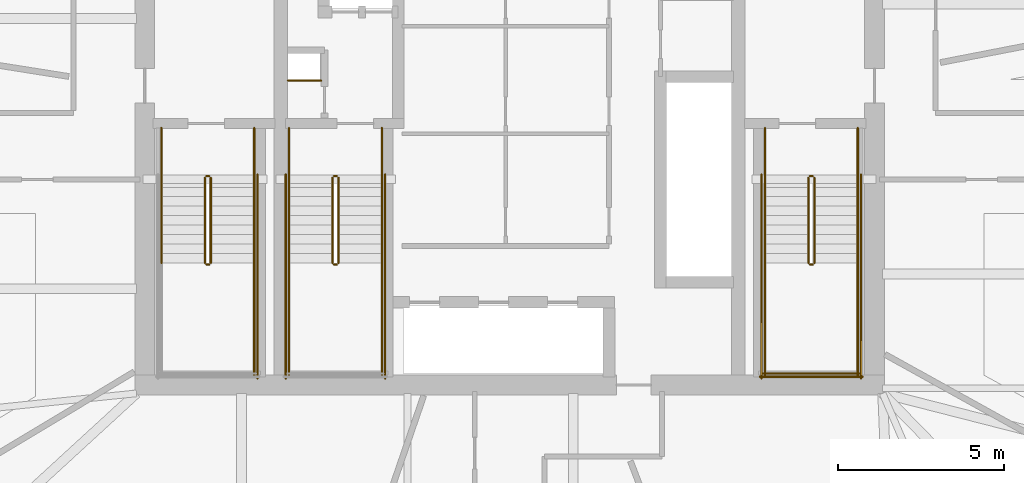
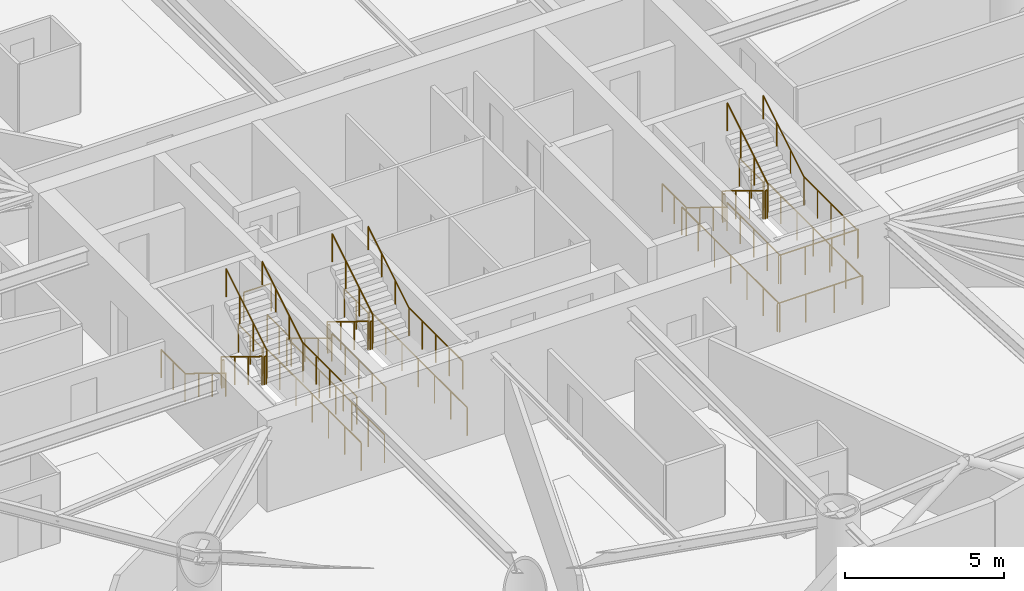
# One storey, part 18 of 19: 37 railings.
"""IFC4 building model written with IfcOpenShell, lengths in metres."""

from ifc_helpers import new_model, si_unit, direction, frame, origin, origin_2d, place, context, subcontext, project, spatial, circle, extrude, material, type_object, element, save


model = new_model("IFC4")

# Units and contexts
model_context = context("Model", 3, precision=1e-05, world=origin(), true_north=direction((0.0, 1.0)))
body_context = subcontext(model_context, "Body", "Model", "MODEL_VIEW")
ifc_project = project(units=[si_unit("LENGTHUNIT", "METRE"), si_unit("AREAUNIT", "SQUARE_METRE"), si_unit("VOLUMEUNIT", "CUBIC_METRE"), si_unit("PLANEANGLEUNIT", "RADIAN"), si_unit("MASSUNIT", "GRAM", prefix="KILO")], contexts=[model_context])

# Site, building, storey
site_placement = place(None, origin())
site = spatial("IfcSite", under=ifc_project, at=site_placement, CompositionType="ELEMENT")
building_placement = place(site_placement, origin())
building = spatial("IfcBuilding", under=site, at=building_placement, Name="Bramvorn Convention Spire", CompositionType="ELEMENT")
storey_placement = place(building_placement, frame((0.0, 0.0, 109.800048828125)))
storey = spatial("IfcBuildingStorey", under=building, at=storey_placement, Name="L26", CompositionType="ELEMENT", Elevation=109.800048828125)

# Railings
ifc_material_1 = material(Name="Painted Steel Balustrade & Guardrail", Category="steel")
railing_type_1 = type_object("IfcRailingType", Name="RL-STAIR-GUARD-1100", PredefinedType="GUARDRAIL", material=ifc_material_1)
railing_1_placement = place(storey_placement, frame((28.81005859375, 25.050048828125, 0.175048828125)))
element("IfcRailing", 1, at=railing_1_placement, inside=storey, type_object=railing_type_1, Name="L26 ST1 stair guard 1", PredefinedType="GUARDRAIL", context=body_context, shape_type="SweptSolid", body=[
    extrude(circle(Radius=0.02392578125, at=origin_2d()), frame((0.0, 0.0, 1.076171875), z_axis=(0.0, -0.852173129349, 0.523259933127), x_axis=(1.0, 0.0, 0.0)), (0.0, 0.0, 1.0), 3.009765625),
    extrude(circle(Radius=0.02099609375, at=origin_2d()), origin(), (0.0, 0.0, 1.0), 1.052001953125),
    extrude(circle(Radius=0.02099609375, at=origin_2d()), frame((0.0, -0.85498046875, 0.52490234375)), (0.0, 0.0, 1.0), 1.052001953125),
    extrude(circle(Radius=0.02099609375, at=origin_2d()), frame((0.0, -1.7099609375, 1.050048828125)), (0.0, 0.0, 1.0), 1.052001953125),
    extrude(circle(Radius=0.02099609375, at=origin_2d()), frame((0.0, -2.56494140625, 1.574951171875)), (0.0, 0.0, 1.0), 1.052001953125),
])
railing_2_placement = place(storey_placement, frame((28.860107421875, 22.43505859375, 1.75)))
element("IfcRailing", 2, at=railing_2_placement, inside=storey, type_object=railing_type_1, Name="L26 ST1 stair guard 2", PredefinedType="GUARDRAIL", context=body_context, shape_type="SweptSolid", body=[
    extrude(circle(Radius=0.02392578125, at=origin_2d()), frame((0.0, 0.0, 1.076171875), z_axis=(1.0, 0.0, 0.0), x_axis=(0.0, 1.0, 0.0)), (0.0, 0.0, 1.0), 0.079833984375),
    extrude(circle(Radius=0.02099609375, at=origin_2d()), origin(), (0.0, 0.0, 1.0), 1.052001953125),
    extrude(circle(Radius=0.02099609375, at=origin_2d()), frame((0.079833984375, 0.0, 0.0)), (0.0, 0.0, 1.0), 1.052001953125),
])
railing_3_placement = place(storey_placement, frame((30.300048828125, 22.485107421875, 1.75)))
element("IfcRailing", 3, at=railing_3_placement, inside=storey, type_object=railing_type_1, Name="L26 ST1 stair guard 4", PredefinedType="GUARDRAIL", context=body_context, shape_type="SweptSolid", body=[
    extrude(circle(Radius=0.02392578125, at=origin_2d()), frame((0.0, 0.0, 1.076171875), z_axis=(0.0, -1.0, 0.0), x_axis=(1.0, 0.0, 0.0)), (0.0, 0.0, 1.0), 3.385009765625),
    extrude(circle(Radius=0.02099609375, at=origin_2d()), origin(), (0.0, 0.0, 1.0), 1.052001953125),
    extrude(circle(Radius=0.02099609375, at=origin_2d()), frame((0.0, -0.84619140625, 0.0)), (0.0, 0.0, 1.0), 1.052001953125),
    extrude(circle(Radius=0.02099609375, at=origin_2d()), frame((0.0, -1.6923828125, 0.0)), (0.0, 0.0, 1.0), 1.052001953125),
    extrude(circle(Radius=0.02099609375, at=origin_2d()), frame((0.0, -2.538818359375, 0.0)), (0.0, 0.0, 1.0), 1.052001953125),
    extrude(circle(Radius=0.02099609375, at=origin_2d()), frame((0.0, -3.385009765625, 0.0)), (0.0, 0.0, 1.0), 1.052001953125),
])
railing_4_placement = place(storey_placement, frame((28.989990234375, 22.485107421875, 1.925048828125)))
element("IfcRailing", 4, at=railing_4_placement, inside=storey, type_object=railing_type_1, Name="L26 ST1 stair guard 6", PredefinedType="GUARDRAIL", context=body_context, shape_type="SweptSolid", body=[
    extrude(circle(Radius=0.02392578125, at=origin_2d()), frame((0.0, 0.0, 1.076171875), z_axis=(0.0, 0.852173129349, 0.523259933127), x_axis=(-1.0, 0.0, 0.0)), (0.0, 0.0, 1.0), 3.009765625),
    extrude(circle(Radius=0.02099609375, at=origin_2d()), origin(), (0.0, 0.0, 1.0), 1.052001953125),
    extrude(circle(Radius=0.02099609375, at=origin_2d()), frame((0.0, 0.85498046875, 0.52490234375)), (0.0, 0.0, 1.0), 1.052001953125),
    extrude(circle(Radius=0.02099609375, at=origin_2d()), frame((0.0, 1.7099609375, 1.050048828125)), (0.0, 0.0, 1.0), 1.052001953125),
    extrude(circle(Radius=0.02099609375, at=origin_2d()), frame((0.0, 2.56494140625, 1.574951171875)), (0.0, 0.0, 1.0), 1.052001953125),
])
railing_5_placement = place(storey_placement, frame((28.860107421875, 25.10009765625, 0.0)))
element("IfcRailing", 5, at=railing_5_placement, inside=storey, type_object=railing_type_1, Name="L26 ST1 stair guard 7", PredefinedType="GUARDRAIL", context=body_context, shape_type="SweptSolid", body=[
    extrude(circle(Radius=0.02392578125, at=origin_2d()), frame((0.0, 0.0, 1.076171875), z_axis=(1.0, 0.0, 0.0), x_axis=(0.0, 1.0, 0.0)), (0.0, 0.0, 1.0), 0.079833984375),
    extrude(circle(Radius=0.02099609375, at=origin_2d()), origin(), (0.0, 0.0, 1.0), 1.052001953125),
    extrude(circle(Radius=0.02099609375, at=origin_2d()), frame((0.079833984375, 0.0, 0.0)), (0.0, 0.0, 1.0), 1.052001953125),
])
for number, where, name in (
    (6, (27.5, 26.550048828125, 0.0), "L26 ST1 stair guard 8"),
    (7, (30.300048828125, 26.550048828125, 0.0), "L26 ST1 stair guard 9"),
):
    element("IfcRailing", number, at=place(storey_placement, frame(where)), inside=storey, type_object=railing_type_1, Name=name, PredefinedType="GUARDRAIL", context=body_context, shape_type="SweptSolid", body=[
        extrude(circle(Radius=0.02392578125, at=origin_2d()), frame((0.0, 0.0, 1.076171875), z_axis=(0.0, -1.0, 0.0), x_axis=(1.0, 0.0, 0.0)), (0.0, 0.0, 1.0), 1.5),
        extrude(circle(Radius=0.02099609375, at=origin_2d()), origin(), (0.0, 0.0, 1.0), 1.052001953125),
        extrude(circle(Radius=0.02099609375, at=origin_2d()), frame((0.0, -0.75, 0.0)), (0.0, 0.0, 1.0), 1.052001953125),
        extrude(circle(Radius=0.02099609375, at=origin_2d()), frame((0.0, -1.5, 0.0)), (0.0, 0.0, 1.0), 1.052001953125),
    ])
railing_6_placement = place(storey_placement, frame((30.39990234375, 25.14990234375, 0.0)))
element("IfcRailing", 8, at=railing_6_placement, inside=storey, type_object=railing_type_1, Name="L26 ST1 stair guard 11", PredefinedType="GUARDRAIL", context=body_context, shape_type="SweptSolid", body=[
    extrude(circle(Radius=0.02392578125, at=origin_2d()), frame((0.0, 0.0, 1.076171875), z_axis=(0.0, -1.0, 0.0), x_axis=(1.0, 0.0, 0.0)), (0.0, 0.0, 1.0), 6.14990234375),
    extrude(circle(Radius=0.02099609375, at=origin_2d()), origin(), (0.0, 0.0, 1.0), 1.052001953125),
    extrude(circle(Radius=0.02099609375, at=origin_2d()), frame((0.0, -1.02490234375, 0.0)), (0.0, 0.0, 1.0), 1.052001953125),
    extrude(circle(Radius=0.02099609375, at=origin_2d()), frame((0.0, -2.050048828125, 0.0)), (0.0, 0.0, 1.0), 1.052001953125),
    extrude(circle(Radius=0.02099609375, at=origin_2d()), frame((0.0, -3.074951171875, 0.0)), (0.0, 0.0, 1.0), 1.052001953125),
    extrude(circle(Radius=0.02099609375, at=origin_2d()), frame((0.0, -4.099853515625, 0.0)), (0.0, 0.0, 1.0), 1.052001953125),
    extrude(circle(Radius=0.02099609375, at=origin_2d()), frame((0.0, -5.125, 0.0)), (0.0, 0.0, 1.0), 1.052001953125),
    extrude(circle(Radius=0.02099609375, at=origin_2d()), frame((0.0, -6.14990234375, 0.0)), (0.0, 0.0, 1.0), 1.052001953125),
])
railing_7_placement = place(storey_placement, frame((47.010009765625, 25.050048828125, 0.175048828125)))
element("IfcRailing", 9, at=railing_7_placement, inside=storey, type_object=railing_type_1, Name="L26 ST2 stair guard 1", PredefinedType="GUARDRAIL", context=body_context, shape_type="SweptSolid", body=[
    extrude(circle(Radius=0.02392578125, at=origin_2d()), frame((0.0, 0.0, 1.076171875), z_axis=(0.0, -0.852173129349, 0.523259933127), x_axis=(1.0, 0.0, 0.0)), (0.0, 0.0, 1.0), 3.009765625),
    extrude(circle(Radius=0.02099609375, at=origin_2d()), origin(), (0.0, 0.0, 1.0), 1.052001953125),
    extrude(circle(Radius=0.02099609375, at=origin_2d()), frame((0.0, -0.85498046875, 0.52490234375)), (0.0, 0.0, 1.0), 1.052001953125),
    extrude(circle(Radius=0.02099609375, at=origin_2d()), frame((0.0, -1.7099609375, 1.050048828125)), (0.0, 0.0, 1.0), 1.052001953125),
    extrude(circle(Radius=0.02099609375, at=origin_2d()), frame((0.0, -2.56494140625, 1.574951171875)), (0.0, 0.0, 1.0), 1.052001953125),
])
railing_8_placement = place(storey_placement, frame((47.06005859375, 22.43505859375, 1.75)))
element("IfcRailing", 10, at=railing_8_placement, inside=storey, type_object=railing_type_1, Name="L26 ST2 stair guard 2", PredefinedType="GUARDRAIL", context=body_context, shape_type="SweptSolid", body=[
    extrude(circle(Radius=0.02392578125, at=origin_2d()), frame((0.0, 0.0, 1.076171875), z_axis=(1.0, 0.0, 0.0), x_axis=(0.0, 1.0, 0.0)), (0.0, 0.0, 1.0), 0.079833984375),
    extrude(circle(Radius=0.02099609375, at=origin_2d()), origin(), (0.0, 0.0, 1.0), 1.052001953125),
    extrude(circle(Radius=0.02099609375, at=origin_2d()), frame((0.079833984375, 0.0, 0.0)), (0.0, 0.0, 1.0), 1.052001953125),
])
for number, where, name in (
    (11, (45.699951171875, 22.485107421875, 1.75), "L26 ST2 stair guard 3"),
    (12, (48.5, 22.485107421875, 1.75), "L26 ST2 stair guard 4"),
):
    element("IfcRailing", number, at=place(storey_placement, frame(where)), inside=storey, type_object=railing_type_1, Name=name, PredefinedType="GUARDRAIL", context=body_context, shape_type="SweptSolid", body=[
        extrude(circle(Radius=0.02392578125, at=origin_2d()), frame((0.0, 0.0, 1.076171875), z_axis=(0.0, -1.0, 0.0), x_axis=(1.0, 0.0, 0.0)), (0.0, 0.0, 1.0), 3.385009765625),
        extrude(circle(Radius=0.02099609375, at=origin_2d()), origin(), (0.0, 0.0, 1.0), 1.052001953125),
        extrude(circle(Radius=0.02099609375, at=origin_2d()), frame((0.0, -0.84619140625, 0.0)), (0.0, 0.0, 1.0), 1.052001953125),
        extrude(circle(Radius=0.02099609375, at=origin_2d()), frame((0.0, -1.6923828125, 0.0)), (0.0, 0.0, 1.0), 1.052001953125),
        extrude(circle(Radius=0.02099609375, at=origin_2d()), frame((0.0, -2.538818359375, 0.0)), (0.0, 0.0, 1.0), 1.052001953125),
        extrude(circle(Radius=0.02099609375, at=origin_2d()), frame((0.0, -3.385009765625, 0.0)), (0.0, 0.0, 1.0), 1.052001953125),
    ])
railing_9_placement = place(storey_placement, frame((45.64990234375, 19.14990234375, 1.75)))
element("IfcRailing", 13, at=railing_9_placement, inside=storey, type_object=railing_type_1, Name="L26 ST2 stair guard 5", PredefinedType="GUARDRAIL", context=body_context, shape_type="SweptSolid", body=[
    extrude(circle(Radius=0.02392578125, at=origin_2d()), frame((0.0, 0.0, 1.076171875), z_axis=(1.0, 0.0, 0.0), x_axis=(0.0, 1.0, 0.0)), (0.0, 0.0, 1.0), 2.900146484375),
    extrude(circle(Radius=0.02099609375, at=origin_2d()), origin(), (0.0, 0.0, 1.0), 1.052001953125),
    extrude(circle(Radius=0.02099609375, at=origin_2d()), frame((0.966796875, 0.0, 0.0)), (0.0, 0.0, 1.0), 1.052001953125),
    extrude(circle(Radius=0.02099609375, at=origin_2d()), frame((1.933349609375, 0.0, 0.0)), (0.0, 0.0, 1.0), 1.052001953125),
    extrude(circle(Radius=0.02099609375, at=origin_2d()), frame((2.900146484375, 0.0, 0.0)), (0.0, 0.0, 1.0), 1.052001953125),
])
railing_10_placement = place(storey_placement, frame((47.18994140625, 22.485107421875, 1.925048828125)))
element("IfcRailing", 14, at=railing_10_placement, inside=storey, type_object=railing_type_1, Name="L26 ST2 stair guard 6", PredefinedType="GUARDRAIL", context=body_context, shape_type="SweptSolid", body=[
    extrude(circle(Radius=0.02392578125, at=origin_2d()), frame((0.0, 0.0, 1.076171875), z_axis=(0.0, 0.852173129349, 0.523259933127), x_axis=(-1.0, 0.0, 0.0)), (0.0, 0.0, 1.0), 3.009765625),
    extrude(circle(Radius=0.02099609375, at=origin_2d()), origin(), (0.0, 0.0, 1.0), 1.052001953125),
    extrude(circle(Radius=0.02099609375, at=origin_2d()), frame((0.0, 0.85498046875, 0.52490234375)), (0.0, 0.0, 1.0), 1.052001953125),
    extrude(circle(Radius=0.02099609375, at=origin_2d()), frame((0.0, 1.7099609375, 1.050048828125)), (0.0, 0.0, 1.0), 1.052001953125),
    extrude(circle(Radius=0.02099609375, at=origin_2d()), frame((0.0, 2.56494140625, 1.574951171875)), (0.0, 0.0, 1.0), 1.052001953125),
])
railing_11_placement = place(storey_placement, frame((47.06005859375, 25.10009765625, 0.0)))
element("IfcRailing", 15, at=railing_11_placement, inside=storey, type_object=railing_type_1, Name="L26 ST2 stair guard 7", PredefinedType="GUARDRAIL", context=body_context, shape_type="SweptSolid", body=[
    extrude(circle(Radius=0.02392578125, at=origin_2d()), frame((0.0, 0.0, 1.076171875), z_axis=(1.0, 0.0, 0.0), x_axis=(0.0, 1.0, 0.0)), (0.0, 0.0, 1.0), 0.079833984375),
    extrude(circle(Radius=0.02099609375, at=origin_2d()), origin(), (0.0, 0.0, 1.0), 1.052001953125),
    extrude(circle(Radius=0.02099609375, at=origin_2d()), frame((0.079833984375, 0.0, 0.0)), (0.0, 0.0, 1.0), 1.052001953125),
])
for number, where, name in (
    (16, (45.699951171875, 26.550048828125, 0.0), "L26 ST2 stair guard 8"),
    (17, (48.5, 26.550048828125, 0.0), "L26 ST2 stair guard 9"),
):
    element("IfcRailing", number, at=place(storey_placement, frame(where)), inside=storey, type_object=railing_type_1, Name=name, PredefinedType="GUARDRAIL", context=body_context, shape_type="SweptSolid", body=[
        extrude(circle(Radius=0.02392578125, at=origin_2d()), frame((0.0, 0.0, 1.076171875), z_axis=(0.0, -1.0, 0.0), x_axis=(1.0, 0.0, 0.0)), (0.0, 0.0, 1.0), 1.5),
        extrude(circle(Radius=0.02099609375, at=origin_2d()), origin(), (0.0, 0.0, 1.0), 1.052001953125),
        extrude(circle(Radius=0.02099609375, at=origin_2d()), frame((0.0, -0.75, 0.0)), (0.0, 0.0, 1.0), 1.052001953125),
        extrude(circle(Radius=0.02099609375, at=origin_2d()), frame((0.0, -1.5, 0.0)), (0.0, 0.0, 1.0), 1.052001953125),
    ])
for number, where, name in (
    (18, (45.60009765625, 25.14990234375, 0.0), "L26 ST2 stair guard 10"),
    (19, (48.60009765625, 25.14990234375, 0.0), "L26 ST2 stair guard 11"),
):
    element("IfcRailing", number, at=place(storey_placement, frame(where)), inside=storey, type_object=railing_type_1, Name=name, PredefinedType="GUARDRAIL", context=body_context, shape_type="SweptSolid", body=[
        extrude(circle(Radius=0.02392578125, at=origin_2d()), frame((0.0, 0.0, 1.076171875), z_axis=(0.0, -1.0, 0.0), x_axis=(1.0, 0.0, 0.0)), (0.0, 0.0, 1.0), 6.14990234375),
        extrude(circle(Radius=0.02099609375, at=origin_2d()), origin(), (0.0, 0.0, 1.0), 1.052001953125),
        extrude(circle(Radius=0.02099609375, at=origin_2d()), frame((0.0, -1.02490234375, 0.0)), (0.0, 0.0, 1.0), 1.052001953125),
        extrude(circle(Radius=0.02099609375, at=origin_2d()), frame((0.0, -2.050048828125, 0.0)), (0.0, 0.0, 1.0), 1.052001953125),
        extrude(circle(Radius=0.02099609375, at=origin_2d()), frame((0.0, -3.074951171875, 0.0)), (0.0, 0.0, 1.0), 1.052001953125),
        extrude(circle(Radius=0.02099609375, at=origin_2d()), frame((0.0, -4.099853515625, 0.0)), (0.0, 0.0, 1.0), 1.052001953125),
        extrude(circle(Radius=0.02099609375, at=origin_2d()), frame((0.0, -5.125, 0.0)), (0.0, 0.0, 1.0), 1.052001953125),
        extrude(circle(Radius=0.02099609375, at=origin_2d()), frame((0.0, -6.14990234375, 0.0)), (0.0, 0.0, 1.0), 1.052001953125),
    ])
railing_12_placement = place(storey_placement, frame((45.550048828125, 19.050048828125, 0.0)))
element("IfcRailing", 20, at=railing_12_placement, inside=storey, type_object=railing_type_1, Name="L26 ST2 stair guard 12", PredefinedType="GUARDRAIL", context=body_context, shape_type="SweptSolid", body=[
    extrude(circle(Radius=0.02392578125, at=origin_2d()), frame((0.0, 0.0, 1.076171875), z_axis=(1.0, 0.0, 0.0), x_axis=(0.0, 1.0, 0.0)), (0.0, 0.0, 1.0), 3.099853515625),
    extrude(circle(Radius=0.02099609375, at=origin_2d()), origin(), (0.0, 0.0, 1.0), 1.052001953125),
    extrude(circle(Radius=0.02099609375, at=origin_2d()), frame((1.033203125, 0.0, 0.0)), (0.0, 0.0, 1.0), 1.052001953125),
    extrude(circle(Radius=0.02099609375, at=origin_2d()), frame((2.066650390625, 0.0, 0.0)), (0.0, 0.0, 1.0), 1.052001953125),
    extrude(circle(Radius=0.02099609375, at=origin_2d()), frame((3.099853515625, 0.0, 0.0)), (0.0, 0.0, 1.0), 1.052001953125),
])
railing_13_placement = place(storey_placement, frame((32.659912109375, 25.050048828125, 0.175048828125)))
element("IfcRailing", 21, at=railing_13_placement, inside=storey, type_object=railing_type_1, Name="L26 ST3 stair guard 1", PredefinedType="GUARDRAIL", context=body_context, shape_type="SweptSolid", body=[
    extrude(circle(Radius=0.02392578125, at=origin_2d()), frame((0.0, 0.0, 1.076171875), z_axis=(0.0, -0.852173129349, 0.523259933127), x_axis=(1.0, 0.0, 0.0)), (0.0, 0.0, 1.0), 3.009765625),
    extrude(circle(Radius=0.02099609375, at=origin_2d()), origin(), (0.0, 0.0, 1.0), 1.052001953125),
    extrude(circle(Radius=0.02099609375, at=origin_2d()), frame((0.0, -0.85498046875, 0.52490234375)), (0.0, 0.0, 1.0), 1.052001953125),
    extrude(circle(Radius=0.02099609375, at=origin_2d()), frame((0.0, -1.7099609375, 1.050048828125)), (0.0, 0.0, 1.0), 1.052001953125),
    extrude(circle(Radius=0.02099609375, at=origin_2d()), frame((0.0, -2.56494140625, 1.574951171875)), (0.0, 0.0, 1.0), 1.052001953125),
])
railing_14_placement = place(storey_placement, frame((32.7099609375, 22.43505859375, 1.75)))
element("IfcRailing", 22, at=railing_14_placement, inside=storey, type_object=railing_type_1, Name="L26 ST3 stair guard 2", PredefinedType="GUARDRAIL", context=body_context, shape_type="SweptSolid", body=[
    extrude(circle(Radius=0.02392578125, at=origin_2d()), frame((0.0, 0.0, 1.076171875), z_axis=(1.0, 0.0, 0.0), x_axis=(0.0, 1.0, 0.0)), (0.0, 0.0, 1.0), 0.080078125),
    extrude(circle(Radius=0.02099609375, at=origin_2d()), origin(), (0.0, 0.0, 1.0), 1.052001953125),
    extrude(circle(Radius=0.02099609375, at=origin_2d()), frame((0.080078125, 0.0, 0.0)), (0.0, 0.0, 1.0), 1.052001953125),
])
for number, where, name in (
    (23, (31.35009765625, 22.485107421875, 1.75), "L26 ST3 stair guard 3"),
    (24, (34.14990234375, 22.485107421875, 1.75), "L26 ST3 stair guard 4"),
):
    element("IfcRailing", number, at=place(storey_placement, frame(where)), inside=storey, type_object=railing_type_1, Name=name, PredefinedType="GUARDRAIL", context=body_context, shape_type="SweptSolid", body=[
        extrude(circle(Radius=0.02392578125, at=origin_2d()), frame((0.0, 0.0, 1.076171875), z_axis=(0.0, -1.0, 0.0), x_axis=(1.0, 0.0, 0.0)), (0.0, 0.0, 1.0), 3.385009765625),
        extrude(circle(Radius=0.02099609375, at=origin_2d()), origin(), (0.0, 0.0, 1.0), 1.052001953125),
        extrude(circle(Radius=0.02099609375, at=origin_2d()), frame((0.0, -0.84619140625, 0.0)), (0.0, 0.0, 1.0), 1.052001953125),
        extrude(circle(Radius=0.02099609375, at=origin_2d()), frame((0.0, -1.6923828125, 0.0)), (0.0, 0.0, 1.0), 1.052001953125),
        extrude(circle(Radius=0.02099609375, at=origin_2d()), frame((0.0, -2.538818359375, 0.0)), (0.0, 0.0, 1.0), 1.052001953125),
        extrude(circle(Radius=0.02099609375, at=origin_2d()), frame((0.0, -3.385009765625, 0.0)), (0.0, 0.0, 1.0), 1.052001953125),
    ])
railing_15_placement = place(storey_placement, frame((32.840087890625, 22.485107421875, 1.925048828125)))
element("IfcRailing", 25, at=railing_15_placement, inside=storey, type_object=railing_type_1, Name="L26 ST3 stair guard 6", PredefinedType="GUARDRAIL", context=body_context, shape_type="SweptSolid", body=[
    extrude(circle(Radius=0.02392578125, at=origin_2d()), frame((0.0, 0.0, 1.076171875), z_axis=(0.0, 0.852173129349, 0.523259933127), x_axis=(-1.0, 0.0, 0.0)), (0.0, 0.0, 1.0), 3.009765625),
    extrude(circle(Radius=0.02099609375, at=origin_2d()), origin(), (0.0, 0.0, 1.0), 1.052001953125),
    extrude(circle(Radius=0.02099609375, at=origin_2d()), frame((0.0, 0.85498046875, 0.52490234375)), (0.0, 0.0, 1.0), 1.052001953125),
    extrude(circle(Radius=0.02099609375, at=origin_2d()), frame((0.0, 1.7099609375, 1.050048828125)), (0.0, 0.0, 1.0), 1.052001953125),
    extrude(circle(Radius=0.02099609375, at=origin_2d()), frame((0.0, 2.56494140625, 1.574951171875)), (0.0, 0.0, 1.0), 1.052001953125),
])
railing_16_placement = place(storey_placement, frame((32.7099609375, 25.10009765625, 0.0)))
element("IfcRailing", 26, at=railing_16_placement, inside=storey, type_object=railing_type_1, Name="L26 ST3 stair guard 7", PredefinedType="GUARDRAIL", context=body_context, shape_type="SweptSolid", body=[
    extrude(circle(Radius=0.02392578125, at=origin_2d()), frame((0.0, 0.0, 1.076171875), z_axis=(1.0, 0.0, 0.0), x_axis=(0.0, 1.0, 0.0)), (0.0, 0.0, 1.0), 0.080078125),
    extrude(circle(Radius=0.02099609375, at=origin_2d()), origin(), (0.0, 0.0, 1.0), 1.052001953125),
    extrude(circle(Radius=0.02099609375, at=origin_2d()), frame((0.080078125, 0.0, 0.0)), (0.0, 0.0, 1.0), 1.052001953125),
])
for number, where, name in (
    (27, (31.35009765625, 26.550048828125, 0.0), "L26 ST3 stair guard 8"),
    (28, (34.14990234375, 26.550048828125, 0.0), "L26 ST3 stair guard 9"),
):
    element("IfcRailing", number, at=place(storey_placement, frame(where)), inside=storey, type_object=railing_type_1, Name=name, PredefinedType="GUARDRAIL", context=body_context, shape_type="SweptSolid", body=[
        extrude(circle(Radius=0.02392578125, at=origin_2d()), frame((0.0, 0.0, 1.076171875), z_axis=(0.0, -1.0, 0.0), x_axis=(1.0, 0.0, 0.0)), (0.0, 0.0, 1.0), 1.5),
        extrude(circle(Radius=0.02099609375, at=origin_2d()), origin(), (0.0, 0.0, 1.0), 1.052001953125),
        extrude(circle(Radius=0.02099609375, at=origin_2d()), frame((0.0, -0.75, 0.0)), (0.0, 0.0, 1.0), 1.052001953125),
        extrude(circle(Radius=0.02099609375, at=origin_2d()), frame((0.0, -1.5, 0.0)), (0.0, 0.0, 1.0), 1.052001953125),
    ])
for number, where, name in (
    (29, (31.25, 25.14990234375, 0.0), "L26 ST3 stair guard 10"),
    (30, (34.25, 25.14990234375, 0.0), "L26 ST3 stair guard 11"),
):
    element("IfcRailing", number, at=place(storey_placement, frame(where)), inside=storey, type_object=railing_type_1, Name=name, PredefinedType="GUARDRAIL", context=body_context, shape_type="SweptSolid", body=[
        extrude(circle(Radius=0.02392578125, at=origin_2d()), frame((0.0, 0.0, 1.076171875), z_axis=(0.0, -1.0, 0.0), x_axis=(1.0, 0.0, 0.0)), (0.0, 0.0, 1.0), 6.14990234375),
        extrude(circle(Radius=0.02099609375, at=origin_2d()), origin(), (0.0, 0.0, 1.0), 1.052001953125),
        extrude(circle(Radius=0.02099609375, at=origin_2d()), frame((0.0, -1.02490234375, 0.0)), (0.0, 0.0, 1.0), 1.052001953125),
        extrude(circle(Radius=0.02099609375, at=origin_2d()), frame((0.0, -2.050048828125, 0.0)), (0.0, 0.0, 1.0), 1.052001953125),
        extrude(circle(Radius=0.02099609375, at=origin_2d()), frame((0.0, -3.074951171875, 0.0)), (0.0, 0.0, 1.0), 1.052001953125),
        extrude(circle(Radius=0.02099609375, at=origin_2d()), frame((0.0, -4.099853515625, 0.0)), (0.0, 0.0, 1.0), 1.052001953125),
        extrude(circle(Radius=0.02099609375, at=origin_2d()), frame((0.0, -5.125, 0.0)), (0.0, 0.0, 1.0), 1.052001953125),
        extrude(circle(Radius=0.02099609375, at=origin_2d()), frame((0.0, -6.14990234375, 0.0)), (0.0, 0.0, 1.0), 1.052001953125),
    ])
railing_17_placement = place(storey_placement, frame((31.320068359375, 27.97998046875, 0.0)))
element("IfcRailing", 31, at=railing_17_placement, inside=storey, type_object=railing_type_1, Name="L26 Telecom riser shaft opening safety guardrail", PredefinedType="GUARDRAIL", context=body_context, shape_type="SweptSolid", body=[
    extrude(circle(Radius=0.02392578125, at=origin_2d()), frame((0.0, 0.0, 1.076171875), z_axis=(1.0, 0.0, 0.0), x_axis=(0.0, 1.0, 0.0)), (0.0, 0.0, 1.0), 1.0),
    extrude(circle(Radius=0.02099609375, at=origin_2d()), origin(), (0.0, 0.0, 1.0), 1.052001953125),
    extrude(circle(Radius=0.02099609375, at=origin_2d()), frame((1.0, 0.0, 0.0)), (0.0, 0.0, 1.0), 1.052001953125),
])
ifc_material_2 = material(Name="Brushed Bronze Tubular Handrail", Category="aluminium")
railing_type_2 = type_object("IfcRailingType", Name="RL-STAIR-HR-920", PredefinedType="HANDRAIL", material=ifc_material_2)
railing_18_placement = place(storey_placement, frame((27.5, 25.050048828125, 0.175048828125)))
element("IfcRailing", 32, at=railing_18_placement, inside=storey, type_object=railing_type_2, Name="L26 ST1 stair handrail 1", PredefinedType="HANDRAIL", context=body_context, shape_type="SweptSolid", body=[
    extrude(circle(Radius=0.02392578125, at=origin_2d()), frame((0.0, 0.0, 0.89599609375), z_axis=(0.0, -0.852173129349, 0.523259933127), x_axis=(1.0, 0.0, 0.0)), (0.0, 0.0, 1.0), 3.009765625),
    extrude(circle(Radius=0.02099609375, at=origin_2d()), origin(), (0.0, 0.0, 1.0), 0.871826171875),
    extrude(circle(Radius=0.02099609375, at=origin_2d()), frame((0.0, -0.85498046875, 0.52490234375)), (0.0, 0.0, 1.0), 0.871826171875),
    extrude(circle(Radius=0.02099609375, at=origin_2d()), frame((0.0, -1.7099609375, 1.050048828125)), (0.0, 0.0, 1.0), 0.871826171875),
    extrude(circle(Radius=0.02099609375, at=origin_2d()), frame((0.0, -2.56494140625, 1.574951171875)), (0.0, 0.0, 1.0), 0.871826171875),
])
railing_19_placement = place(storey_placement, frame((30.300048828125, 22.485107421875, 1.925048828125)))
element("IfcRailing", 33, at=railing_19_placement, inside=storey, type_object=railing_type_2, Name="L26 ST1 stair handrail 2", PredefinedType="HANDRAIL", context=body_context, shape_type="SweptSolid", body=[
    extrude(circle(Radius=0.02392578125, at=origin_2d()), frame((0.0, 0.0, 0.89599609375), z_axis=(0.0, 0.852173129349, 0.523259933127), x_axis=(-1.0, 0.0, 0.0)), (0.0, 0.0, 1.0), 3.009765625),
    extrude(circle(Radius=0.02099609375, at=origin_2d()), origin(), (0.0, 0.0, 1.0), 0.871826171875),
    extrude(circle(Radius=0.02099609375, at=origin_2d()), frame((0.0, 0.85498046875, 0.52490234375)), (0.0, 0.0, 1.0), 0.871826171875),
    extrude(circle(Radius=0.02099609375, at=origin_2d()), frame((0.0, 1.7099609375, 1.050048828125)), (0.0, 0.0, 1.0), 0.871826171875),
    extrude(circle(Radius=0.02099609375, at=origin_2d()), frame((0.0, 2.56494140625, 1.574951171875)), (0.0, 0.0, 1.0), 0.871826171875),
])
railing_20_placement = place(storey_placement, frame((45.699951171875, 25.050048828125, 0.175048828125)))
element("IfcRailing", 34, at=railing_20_placement, inside=storey, type_object=railing_type_2, Name="L26 ST2 stair handrail 1", PredefinedType="HANDRAIL", context=body_context, shape_type="SweptSolid", body=[
    extrude(circle(Radius=0.02392578125, at=origin_2d()), frame((0.0, 0.0, 0.89599609375), z_axis=(0.0, -0.852173129349, 0.523259933127), x_axis=(1.0, 0.0, 0.0)), (0.0, 0.0, 1.0), 3.009765625),
    extrude(circle(Radius=0.02099609375, at=origin_2d()), origin(), (0.0, 0.0, 1.0), 0.871826171875),
    extrude(circle(Radius=0.02099609375, at=origin_2d()), frame((0.0, -0.85498046875, 0.52490234375)), (0.0, 0.0, 1.0), 0.871826171875),
    extrude(circle(Radius=0.02099609375, at=origin_2d()), frame((0.0, -1.7099609375, 1.050048828125)), (0.0, 0.0, 1.0), 0.871826171875),
    extrude(circle(Radius=0.02099609375, at=origin_2d()), frame((0.0, -2.56494140625, 1.574951171875)), (0.0, 0.0, 1.0), 0.871826171875),
])
railing_21_placement = place(storey_placement, frame((48.5, 22.485107421875, 1.925048828125)))
element("IfcRailing", 35, at=railing_21_placement, inside=storey, type_object=railing_type_2, Name="L26 ST2 stair handrail 2", PredefinedType="HANDRAIL", context=body_context, shape_type="SweptSolid", body=[
    extrude(circle(Radius=0.02392578125, at=origin_2d()), frame((0.0, 0.0, 0.89599609375), z_axis=(0.0, 0.852173129349, 0.523259933127), x_axis=(-1.0, 0.0, 0.0)), (0.0, 0.0, 1.0), 3.009765625),
    extrude(circle(Radius=0.02099609375, at=origin_2d()), origin(), (0.0, 0.0, 1.0), 0.871826171875),
    extrude(circle(Radius=0.02099609375, at=origin_2d()), frame((0.0, 0.85498046875, 0.52490234375)), (0.0, 0.0, 1.0), 0.871826171875),
    extrude(circle(Radius=0.02099609375, at=origin_2d()), frame((0.0, 1.7099609375, 1.050048828125)), (0.0, 0.0, 1.0), 0.871826171875),
    extrude(circle(Radius=0.02099609375, at=origin_2d()), frame((0.0, 2.56494140625, 1.574951171875)), (0.0, 0.0, 1.0), 0.871826171875),
])
railing_22_placement = place(storey_placement, frame((31.35009765625, 25.050048828125, 0.175048828125)))
element("IfcRailing", 36, at=railing_22_placement, inside=storey, type_object=railing_type_2, Name="L26 ST3 stair handrail 1", PredefinedType="HANDRAIL", context=body_context, shape_type="SweptSolid", body=[
    extrude(circle(Radius=0.02392578125, at=origin_2d()), frame((0.0, 0.0, 0.89599609375), z_axis=(0.0, -0.852173129349, 0.523259933127), x_axis=(1.0, 0.0, 0.0)), (0.0, 0.0, 1.0), 3.009765625),
    extrude(circle(Radius=0.02099609375, at=origin_2d()), origin(), (0.0, 0.0, 1.0), 0.871826171875),
    extrude(circle(Radius=0.02099609375, at=origin_2d()), frame((0.0, -0.85498046875, 0.52490234375)), (0.0, 0.0, 1.0), 0.871826171875),
    extrude(circle(Radius=0.02099609375, at=origin_2d()), frame((0.0, -1.7099609375, 1.050048828125)), (0.0, 0.0, 1.0), 0.871826171875),
    extrude(circle(Radius=0.02099609375, at=origin_2d()), frame((0.0, -2.56494140625, 1.574951171875)), (0.0, 0.0, 1.0), 0.871826171875),
])
railing_23_placement = place(storey_placement, frame((34.14990234375, 22.485107421875, 1.925048828125)))
element("IfcRailing", 37, at=railing_23_placement, inside=storey, type_object=railing_type_2, Name="L26 ST3 stair handrail 2", PredefinedType="HANDRAIL", context=body_context, shape_type="SweptSolid", body=[
    extrude(circle(Radius=0.02392578125, at=origin_2d()), frame((0.0, 0.0, 0.89599609375), z_axis=(0.0, 0.852173129349, 0.523259933127), x_axis=(-1.0, 0.0, 0.0)), (0.0, 0.0, 1.0), 3.009765625),
    extrude(circle(Radius=0.02099609375, at=origin_2d()), origin(), (0.0, 0.0, 1.0), 0.871826171875),
    extrude(circle(Radius=0.02099609375, at=origin_2d()), frame((0.0, 0.85498046875, 0.52490234375)), (0.0, 0.0, 1.0), 0.871826171875),
    extrude(circle(Radius=0.02099609375, at=origin_2d()), frame((0.0, 1.7099609375, 1.050048828125)), (0.0, 0.0, 1.0), 0.871826171875),
    extrude(circle(Radius=0.02099609375, at=origin_2d()), frame((0.0, 2.56494140625, 1.574951171875)), (0.0, 0.0, 1.0), 0.871826171875),
])

save(model, "model.ifc")
